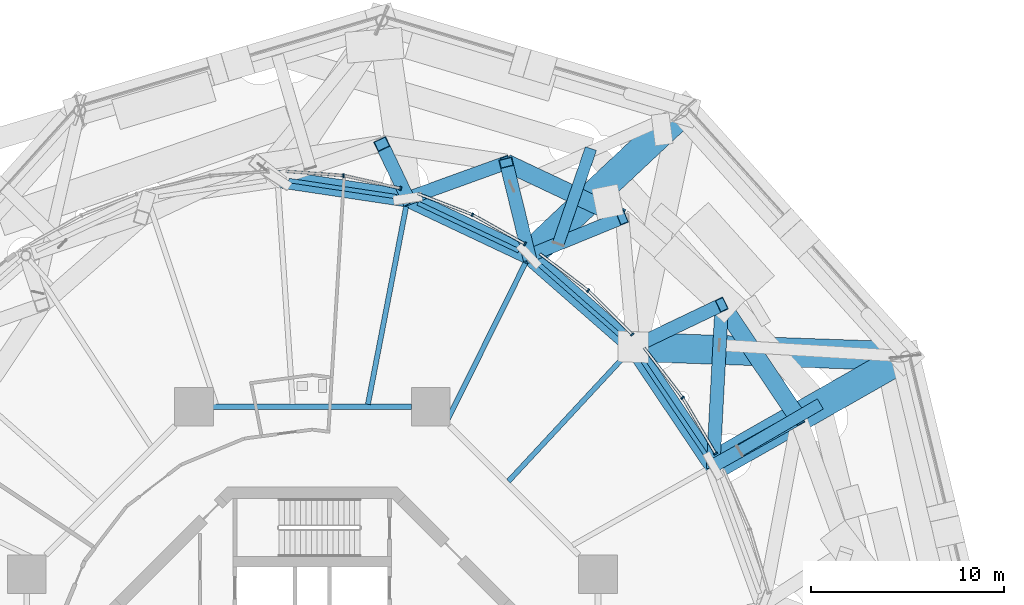
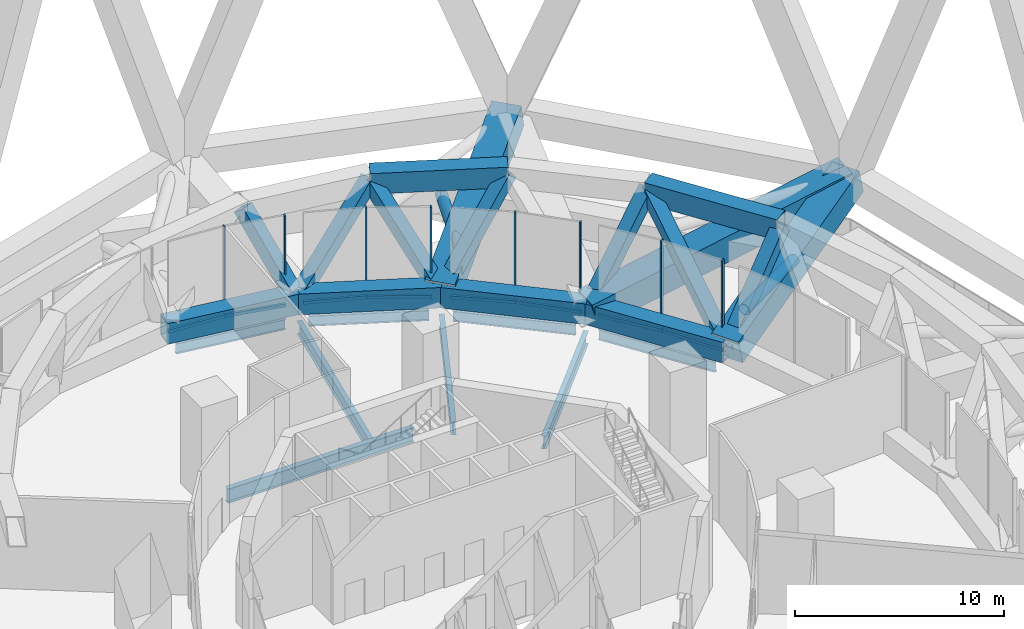
# One storey, part 33 of 49: 21 beams, 21 members, 8 elements without a shape of their own.
"""IFC4 building model written with IfcOpenShell, lengths in metres."""

from ifc_helpers import new_model, si_unit, direction, frame, origin, origin_2d, place, context, subcontext, project, spatial, rectangle, hollow_rectangle, hollow_circle, i_section, extrude, material, layer, layer_set, material_profile, profile_set, type_object, element, aggregate, save


model = new_model("IFC4")

# Units and contexts
model_context = context("Model", 3, precision=1e-05, world=origin(), true_north=direction((0.0, 1.0)))
body_context = subcontext(model_context, "Body", "Model", "MODEL_VIEW")
ifc_project = project(units=[si_unit("LENGTHUNIT", "METRE"), si_unit("AREAUNIT", "SQUARE_METRE"), si_unit("VOLUMEUNIT", "CUBIC_METRE"), si_unit("PLANEANGLEUNIT", "RADIAN"), si_unit("MASSUNIT", "GRAM", prefix="KILO")], contexts=[model_context])

# Site, building, storey
site_placement = place(None, origin())
site = spatial("IfcSite", under=ifc_project, at=site_placement, CompositionType="ELEMENT")
building_placement = place(site_placement, origin())
building = spatial("IfcBuilding", under=site, at=building_placement, Name="Nagisa Residences", CompositionType="ELEMENT")
storey_placement = place(building_placement, frame((0.0, 0.0, 160.300048828125)))
storey = spatial("IfcBuildingStorey", under=building, at=storey_placement, Name="L40", CompositionType="ELEMENT", Elevation=160.300048828125)

# Beams
ifc_material_1 = material(Name="Steel ASTM A572 Gr 50", Category="steel")
ifc_material_profile_1 = material_profile(ifc_material_1, hollow_rectangle(XDim=0.89990234375, YDim=1.199951171875, WallThickness=0.044921875, at=origin_2d()), Name="BX 900x1200x45")
ifc_profile_set_1 = profile_set([ifc_material_profile_1], Name="Steel ASTM A572 Gr 50")
beam_type_1 = type_object("IfcBeamType", Name="Belt chord 3 BX 900x1200x45", PredefinedType="BEAM", material=ifc_profile_set_1)
beam_1_placement = place(storey_placement, frame((20.7470703125, 11.729736328125, 0.599853515625), z_axis=(-0.558184113249, 0.829717117888, 0.0), x_axis=(-0.829717117888, -0.558184113249, 0.0)))
element("IfcBeam", 1, at=beam_1_placement, inside=storey, type_object=beam_type_1, Name="beam:L40:bt3b03", PredefinedType="BEAM", context=body_context, shape_type="SweptSolid", body=[
    extrude(hollow_rectangle(XDim=0.89990234375, YDim=1.199951171875, WallThickness=0.044921875, at=origin_2d()), origin(), (0.0, 0.0, 1.0), 7.412353515625),
])
beam_2_placement = place(storey_placement, frame((25.142333984375, 14.1875, 4.739990234375), z_axis=(-0.558147783438, 0.829741557259, 0.0), x_axis=(-0.829741557259, -0.558147783438, 0.0)))
element("IfcBeam", 2, at=beam_2_placement, inside=storey, type_object=beam_type_1, Name="beam:L40:bt3t03", PredefinedType="BEAM", context=body_context, shape_type="SweptSolid", body=[
    extrude(hollow_rectangle(XDim=0.89990234375, YDim=1.199951171875, WallThickness=0.044921875, at=origin_2d()), origin(), (0.0, 0.0, 1.0), 7.08251953125),
])
beam_3_placement = place(storey_placement, frame((16.609619140625, 17.8798828125, 0.599853515625), z_axis=(-0.752513371651, 0.658576970055, 0.0), x_axis=(-0.658576970055, -0.752513371651, 0.0)))
element("IfcBeam", 3, at=beam_3_placement, inside=storey, type_object=beam_type_1, Name="beam:L40:bt3b04", PredefinedType="BEAM", context=body_context, shape_type="SweptSolid", body=[
    extrude(hollow_rectangle(XDim=0.89990234375, YDim=1.199951171875, WallThickness=0.044921875, at=origin_2d()), origin(), (0.0, 0.0, 1.0), 7.16552734375),
])
beam_4_placement = place(storey_placement, frame((11.217529296875, 22.598876953125, 0.599853515625), z_axis=(-0.904174731044, 0.427162797703, 0.0), x_axis=(-0.427162797703, -0.904174731044, 0.0)))
element("IfcBeam", 4, at=beam_4_placement, inside=storey, type_object=beam_type_1, Name="beam:L40:bt3b05", PredefinedType="BEAM", context=body_context, shape_type="SweptSolid", body=[
    extrude(hollow_rectangle(XDim=0.89990234375, YDim=1.199951171875, WallThickness=0.044921875, at=origin_2d()), origin(), (0.0, 0.0, 1.0), 6.94482421875),
])
beam_5_placement = place(storey_placement, frame((16.03759765625, 24.573486328125, 4.739990234375), z_axis=(-0.9041547037, 0.427205186973, 0.0), x_axis=(-0.427205186973, -0.9041547037, 0.0)))
element("IfcBeam", 5, at=beam_5_placement, inside=storey, type_object=beam_type_1, Name="beam:L40:bt3t05", PredefinedType="BEAM", context=body_context, shape_type="SweptSolid", body=[
    extrude(hollow_rectangle(XDim=0.89990234375, YDim=1.199951171875, WallThickness=0.044921875, at=origin_2d()), origin(), (0.0, 0.0, 1.0), 6.635498046875),
])
beam_6_placement = place(storey_placement, frame((4.938232421875, 25.5654296875, 0.599853515625), z_axis=(-0.988910056119, 0.14851565879, 0.0), x_axis=(-0.14851565879, -0.988910056119, 0.0)))
element("IfcBeam", 6, at=beam_6_placement, inside=storey, type_object=beam_type_1, Name="beam:L40:bt3b06", PredefinedType="BEAM", context=body_context, shape_type="SweptSolid", body=[
    extrude(hollow_rectangle(XDim=0.89990234375, YDim=1.199951171875, WallThickness=0.044921875, at=origin_2d()), origin(), (0.0, 0.0, 1.0), 6.81396484375),
])
ifc_material_2 = material(Name="Steel ASTM A572 Gr 50", Category="steel")
ifc_material_profile_2 = material_profile(ifc_material_2, hollow_rectangle(XDim=0.699951171875, YDim=0.699951171875, WallThickness=0.0400390625, at=origin_2d()), Name="BX 700x700x40")
ifc_profile_set_2 = profile_set([ifc_material_profile_2], Name="Steel ASTM A572 Gr 50")
beam_type_2 = type_object("IfcBeamType", Name="Belt diagonal 3 BX 700x700x40", PredefinedType="BEAM", material=ifc_profile_set_2)
beam_7_placement = place(storey_placement, frame((20.7470703125, 11.729736328125, 0.599853515625), z_axis=(0.674205232109, 0.377005169785, 0.635070395273), x_axis=(-0.488061476755, 0.872809254596, 0.0)))
element("IfcBeam", 7, at=beam_7_placement, inside=storey, type_object=beam_type_2, Name="beam:L40:bt3da03", PredefinedType="BEAM", context=body_context, shape_type="SweptSolid", body=[
    extrude(hollow_rectangle(XDim=0.699951171875, YDim=0.699951171875, WallThickness=0.0400390625, at=origin_2d()), origin(), (0.0, 0.0, 1.0), 6.519287109375),
])
beam_8_placement = place(storey_placement, frame((20.7470703125, 11.729736328125, 0.599853515625), z_axis=(0.047456915509, 0.894579890474, 0.444381211045), x_axis=(-0.998595844255, 0.052974898176, 0.0)))
element("IfcBeam", 8, at=beam_8_placement, inside=storey, type_object=beam_type_2, Name="beam:L40:bt3db03", PredefinedType="BEAM", context=body_context, shape_type="SweptSolid", body=[
    extrude(hollow_rectangle(XDim=0.699951171875, YDim=0.699951171875, WallThickness=0.0400390625, at=origin_2d()), origin(), (0.0, 0.0, 1.0), 9.316650390625),
])
beam_9_placement = place(storey_placement, frame((16.609619140625, 17.8798828125, 0.599853515625), z_axis=(0.699319467386, 0.333554284823, 0.632213430426), x_axis=(-0.43050690081, 0.902587285726, 0.0)))
element("IfcBeam", 9, at=beam_9_placement, inside=storey, type_object=beam_type_2, Name="beam:L40:bt3da04", PredefinedType="BEAM", context=body_context, shape_type="SweptSolid", body=[
    extrude(hollow_rectangle(XDim=0.699951171875, YDim=0.699951171875, WallThickness=0.0400390625, at=origin_2d()), origin(), (0.0, 0.0, 1.0), 6.548583984375),
])
beam_10_placement = place(storey_placement, frame((11.217529296875, 22.598876953125, 0.599853515625), z_axis=(0.724409844613, 0.296764768436, 0.622222668538), x_axis=(-0.379087234899, 0.925360939492, 0.0)))
element("IfcBeam", 10, at=beam_10_placement, inside=storey, type_object=beam_type_2, Name="beam:L40:bt3da05", PredefinedType="BEAM", context=body_context, shape_type="SweptSolid", body=[
    extrude(hollow_rectangle(XDim=0.699951171875, YDim=0.699951171875, WallThickness=0.0400390625, at=origin_2d()), origin(), (0.0, 0.0, 1.0), 6.65380859375),
])
beam_11_placement = place(storey_placement, frame((11.217529296875, 22.598876953125, 0.599853515625), z_axis=(-0.182730047498, 0.7451043688, 0.641427477847), x_axis=(-0.97122031322, -0.238182919598, 0.0)))
element("IfcBeam", 11, at=beam_11_placement, inside=storey, type_object=beam_type_2, Name="beam:L40:bt3db05", PredefinedType="BEAM", context=body_context, shape_type="SweptSolid", body=[
    extrude(hollow_rectangle(XDim=0.699951171875, YDim=0.699951171875, WallThickness=0.0400390625, at=origin_2d()), origin(), (0.0, 0.0, 1.0), 6.45458984375),
])
beam_12_placement = place(storey_placement, frame((4.938232421875, 25.5654296875, 0.599853515625), z_axis=(0.747516774157, 0.270106592529, 0.606845203512), x_axis=(-0.339833645727, 0.940485562479, 0.0)))
element("IfcBeam", 12, at=beam_12_placement, inside=storey, type_object=beam_type_2, Name="beam:L40:bt3da06", PredefinedType="BEAM", context=body_context, shape_type="SweptSolid", body=[
    extrude(hollow_rectangle(XDim=0.699951171875, YDim=0.699951171875, WallThickness=0.0400390625, at=origin_2d()), origin(), (0.0, 0.0, 1.0), 6.822509765625),
])
beam_13_placement = place(storey_placement, frame((4.938232421875, 25.5654296875, 0.599853515625), z_axis=(-0.258362697562, 0.54246267534, 0.799364098751), x_axis=(-0.902830063692, -0.429997530335, 0.0)))
element("IfcBeam", 13, at=beam_13_placement, inside=storey, type_object=beam_type_2, Name="beam:L40:bt3db06", PredefinedType="BEAM", context=body_context, shape_type="SweptSolid", body=[
    extrude(hollow_rectangle(XDim=0.699951171875, YDim=0.699951171875, WallThickness=0.0400390625, at=origin_2d()), origin(), (0.0, 0.0, 1.0), 5.17919921875),
])

# Curtain wall, member
ifc_material_3 = material(Name="Aluminium curtain wall system", Category="aluminium")
ifc_layer = layer(ifc_material_3, 0.159912109375)
ifc_layer_set = layer_set([ifc_layer], Name="CW2 CURTAIN WALL")
curtain_wall_type = type_object("IfcCurtainWallType", Name="CW2 CURTAIN WALL", PredefinedType="NOTDEFINED", material=ifc_layer_set)
curtain_wall_1_placement = place(storey_placement, origin())
curtain_wall_1 = element("IfcCurtainWall", 14, at=curtain_wall_1_placement, inside=storey, type_object=curtain_wall_type, Name="cw:CW2:L40:04", PredefinedType="NOTDEFINED")
ifc_material_4 = material(Name="Aluminium", Category="aluminium")
ifc_material_profile_3 = material_profile(ifc_material_4, rectangle(XDim=0.199951171875, YDim=0.080078125, at=origin_2d()), Name="CW2 MULLION 200x80")
ifc_profile_set_3 = profile_set([ifc_material_profile_3], Name="Aluminium")
member_type_1 = type_object("IfcMemberType", Name="CW2 MULLION 200x80", PredefinedType="MULLION", material=ifc_profile_set_3)
member_1_placement = place(storey_placement, frame((20.86279296875, 12.36181640625, 0.0), z_axis=(0.0, 0.0, 1.0), x_axis=(-0.862328898214, -0.506348567002, 0.0)))
member_1 = element("IfcMember", 15, at=member_1_placement, type_object=member_type_1, Name="CW2 mullion", PredefinedType="MULLION", context=body_context, shape_type="SweptSolid", body=[
    extrude(rectangle(XDim=0.199951171875, YDim=0.080078125, at=origin_2d()), origin(), (0.0, 0.0, 1.0), 5.33984375),
])

curtain_wall_2_placement = place(storey_placement, origin())
curtain_wall_2 = element("IfcCurtainWall", 16, at=curtain_wall_2_placement, inside=storey, type_object=curtain_wall_type, Name="cw:CW2:L40:05", PredefinedType="NOTDEFINED")
member_2_placement = place(storey_placement, frame((19.163818359375, 15.246826171875, 0.0), z_axis=(0.0, 0.0, 1.0), x_axis=(-0.792070340816, -0.610429828235, 0.0)))
member_2 = element("IfcMember", 17, at=member_2_placement, type_object=member_type_1, Name="CW2 mullion", PredefinedType="MULLION", context=body_context, shape_type="SweptSolid", body=[
    extrude(rectangle(XDim=0.199951171875, YDim=0.080078125, at=origin_2d()), origin(), (0.0, 0.0, 1.0), 5.33984375),
])

curtain_wall_3_placement = place(storey_placement, origin())
curtain_wall_3 = element("IfcCurtainWall", 18, at=curtain_wall_3_placement, inside=storey, type_object=curtain_wall_type, Name="cw:CW2:L40:06", PredefinedType="NOTDEFINED")
member_3_placement = place(storey_placement, frame((16.559814453125, 18.52294921875, 0.0), z_axis=(0.0, 0.0, 1.0), x_axis=(-0.706376885714, -0.707835924016, 0.0)))
member_3 = element("IfcMember", 19, at=member_3_placement, type_object=member_type_1, Name="CW2 mullion", PredefinedType="MULLION", context=body_context, shape_type="SweptSolid", body=[
    extrude(rectangle(XDim=0.199951171875, YDim=0.080078125, at=origin_2d()), origin(), (0.0, 0.0, 1.0), 5.33984375),
])

curtain_wall_4_placement = place(storey_placement, origin())
curtain_wall_4 = element("IfcCurtainWall", 20, at=curtain_wall_4_placement, inside=storey, type_object=curtain_wall_type, Name="cw:CW2:L40:07", PredefinedType="NOTDEFINED")
member_4_placement = place(storey_placement, frame((14.273193359375, 20.798095703125, 0.0), z_axis=(0.0, 0.0, 1.0), x_axis=(-0.605255421737, -0.79603132756, 0.0)))
member_4 = element("IfcMember", 21, at=member_4_placement, type_object=member_type_1, Name="CW2 mullion", PredefinedType="MULLION", context=body_context, shape_type="SweptSolid", body=[
    extrude(rectangle(XDim=0.199951171875, YDim=0.080078125, at=origin_2d()), origin(), (0.0, 0.0, 1.0), 5.33984375),
])

curtain_wall_5_placement = place(storey_placement, origin())
curtain_wall_5 = element("IfcCurtainWall", 22, at=curtain_wall_5_placement, inside=storey, type_object=curtain_wall_type, Name="cw:CW2:L40:08", PredefinedType="NOTDEFINED")
member_5_placement = place(storey_placement, frame((11.0009765625, 23.201904296875, 0.0), z_axis=(0.0, 0.0, 1.0), x_axis=(-0.489376918501, -0.872072377523, 0.0)))
member_5 = element("IfcMember", 23, at=member_5_placement, type_object=member_type_1, Name="CW2 mullion", PredefinedType="MULLION", context=body_context, shape_type="SweptSolid", body=[
    extrude(rectangle(XDim=0.199951171875, YDim=0.080078125, at=origin_2d()), origin(), (0.0, 0.0, 1.0), 5.33984375),
])

curtain_wall_6_placement = place(storey_placement, origin())
curtain_wall_6 = element("IfcCurtainWall", 24, at=curtain_wall_6_placement, inside=storey, type_object=curtain_wall_type, Name="cw:CW2:L40:09", PredefinedType="NOTDEFINED")
member_6_placement = place(storey_placement, frame((8.288330078125, 24.71875, 0.0), z_axis=(0.0, 0.0, 1.0), x_axis=(-0.360327770268, -0.932825759707, 0.0)))
member_6 = element("IfcMember", 25, at=member_6_placement, type_object=member_type_1, Name="CW2 mullion", PredefinedType="MULLION", context=body_context, shape_type="SweptSolid", body=[
    extrude(rectangle(XDim=0.199951171875, YDim=0.080078125, at=origin_2d()), origin(), (0.0, 0.0, 1.0), 5.33984375),
])

curtain_wall_7_placement = place(storey_placement, origin())
curtain_wall_7 = element("IfcCurtainWall", 26, at=curtain_wall_7_placement, inside=storey, type_object=curtain_wall_type, Name="cw:CW2:L40:10", PredefinedType="NOTDEFINED")
member_7_placement = place(storey_placement, frame((4.572265625, 26.07861328125, 0.0), z_axis=(0.0, 0.0, 1.0), x_axis=(-0.2207639201, -0.975327274089, 0.0)))
member_7 = element("IfcMember", 27, at=member_7_placement, type_object=member_type_1, Name="CW2 mullion", PredefinedType="MULLION", context=body_context, shape_type="SweptSolid", body=[
    extrude(rectangle(XDim=0.199951171875, YDim=0.080078125, at=origin_2d()), origin(), (0.0, 0.0, 1.0), 5.33984375),
])

curtain_wall_8_placement = place(storey_placement, origin())
curtain_wall_8 = element("IfcCurtainWall", 28, at=curtain_wall_8_placement, inside=storey, type_object=curtain_wall_type, Name="cw:CW2:L40:11", PredefinedType="NOTDEFINED")
member_8_placement = place(storey_placement, frame((1.61767578125, 26.7421875, 0.0), z_axis=(0.0, 0.0, 1.0), x_axis=(-0.074377355493, -0.997230168512, 0.0)))
member_8 = element("IfcMember", 29, at=member_8_placement, type_object=member_type_1, Name="CW2 mullion", PredefinedType="MULLION", context=body_context, shape_type="SweptSolid", body=[
    extrude(rectangle(XDim=0.199951171875, YDim=0.080078125, at=origin_2d()), origin(), (0.0, 0.0, 1.0), 5.33984375),
])

# Member
ifc_material_5 = material(Name="Aluminium", Category="aluminium")
ifc_material_profile_4 = material_profile(ifc_material_5, rectangle(XDim=0.139892578125, YDim=0.179931640625, at=origin_2d()), Name="CW2 TRANSOM 140x180")
ifc_profile_set_4 = profile_set([ifc_material_profile_4], Name="Aluminium")
member_type_2 = type_object("IfcMemberType", Name="CW2 TRANSOM 140x180", PredefinedType="USERDEFINED", material=ifc_profile_set_4)
member_9_placement = place(storey_placement, frame((20.883056640625, 12.327392578125, 0.08984375), z_axis=(-0.506336911457, 0.862335742096, 0.0), x_axis=(-0.862335742096, -0.506336911457, 0.0)))
member_9 = element("IfcMember", 30, at=member_9_placement, type_object=member_type_2, Name="CW2 transom", ObjectType="TRANSOM", PredefinedType="USERDEFINED", context=body_context, shape_type="SweptSolid", body=[
    extrude(rectangle(XDim=0.139892578125, YDim=0.179931640625, at=origin_2d()), origin(), (0.0, 0.0, 1.0), 3.3583984375),
])

aggregate(curtain_wall_1, [member_1, member_9])

member_10_placement = place(storey_placement, frame((19.188232421875, 15.215087890625, 0.08984375), z_axis=(-0.61045080008, 0.79205417787, 0.0), x_axis=(-0.79205417787, -0.61045080008, 0.0)))
member_10 = element("IfcMember", 31, at=member_10_placement, type_object=member_type_2, Name="CW2 transom", ObjectType="TRANSOM", PredefinedType="USERDEFINED", context=body_context, shape_type="SweptSolid", body=[
    extrude(rectangle(XDim=0.139892578125, YDim=0.179931640625, at=origin_2d()), origin(), (0.0, 0.0, 1.0), 3.299072265625),
])

aggregate(curtain_wall_2, [member_2, member_10])

member_11_placement = place(storey_placement, frame((16.588134765625, 18.49462890625, 0.08984375), z_axis=(-0.707860625726, 0.706352132118, 0.0), x_axis=(-0.706352132118, -0.707860625726, 0.0)))
member_11 = element("IfcMember", 32, at=member_11_placement, type_object=member_type_2, Name="CW2 transom", ObjectType="TRANSOM", PredefinedType="USERDEFINED", context=body_context, shape_type="SweptSolid", body=[
    extrude(rectangle(XDim=0.139892578125, YDim=0.179931640625, at=origin_2d()), origin(), (0.0, 0.0, 1.0), 3.23681640625),
])

aggregate(curtain_wall_3, [member_3, member_11])

member_12_placement = place(storey_placement, frame((14.30517578125, 20.77392578125, 0.08984375), z_axis=(-0.796052547882, 0.605227511776, 0.0), x_axis=(-0.605227511776, -0.796052547882, 0.0)))
member_12 = element("IfcMember", 33, at=member_12_placement, type_object=member_type_2, Name="CW2 transom", ObjectType="TRANSOM", PredefinedType="USERDEFINED", context=body_context, shape_type="SweptSolid", body=[
    extrude(rectangle(XDim=0.139892578125, YDim=0.179931640625, at=origin_2d()), origin(), (0.0, 0.0, 1.0), 3.175537109375),
])

aggregate(curtain_wall_4, [member_4, member_12])

member_13_placement = place(storey_placement, frame((11.035888671875, 23.182373046875, 0.08984375), z_axis=(-0.872074615218, 0.489372930895, 0.0), x_axis=(-0.489372930895, -0.872074615218, 0.0)))
member_13 = element("IfcMember", 34, at=member_13_placement, type_object=member_type_2, Name="CW2 transom", ObjectType="TRANSOM", PredefinedType="USERDEFINED", context=body_context, shape_type="SweptSolid", body=[
    extrude(rectangle(XDim=0.139892578125, YDim=0.179931640625, at=origin_2d()), origin(), (0.0, 0.0, 1.0), 3.11962890625),
])

aggregate(curtain_wall_5, [member_5, member_13])

member_14_placement = place(storey_placement, frame((8.32568359375, 24.704345703125, 0.08984375), z_axis=(-0.932826657337, 0.360325446452, 0.0), x_axis=(-0.360325446452, -0.932826657337, 0.0)))
member_14 = element("IfcMember", 35, at=member_14_placement, type_object=member_type_2, Name="CW2 transom", ObjectType="TRANSOM", PredefinedType="USERDEFINED", context=body_context, shape_type="SweptSolid", body=[
    extrude(rectangle(XDim=0.139892578125, YDim=0.179931640625, at=origin_2d()), origin(), (0.0, 0.0, 1.0), 3.073486328125),
])

aggregate(curtain_wall_6, [member_6, member_14])

member_15_placement = place(storey_placement, frame((4.611083984375, 26.06982421875, 0.08984375), z_axis=(-0.975331243062, 0.220746384586, 0.0), x_axis=(-0.220746384586, -0.975331243062, 0.0)))
member_15 = element("IfcMember", 36, at=member_15_placement, type_object=member_type_2, Name="CW2 transom", ObjectType="TRANSOM", PredefinedType="USERDEFINED", context=body_context, shape_type="SweptSolid", body=[
    extrude(rectangle(XDim=0.139892578125, YDim=0.179931640625, at=origin_2d()), origin(), (0.0, 0.0, 1.0), 3.040283203125),
])

aggregate(curtain_wall_7, [member_7, member_15])

member_16_placement = place(storey_placement, frame((1.657470703125, 26.7392578125, 0.08984375), z_axis=(-0.997229943857, 0.074380367533, 0.0), x_axis=(-0.074380367533, -0.997229943857, 0.0)))
member_16 = element("IfcMember", 37, at=member_16_placement, type_object=member_type_2, Name="CW2 transom", ObjectType="TRANSOM", PredefinedType="USERDEFINED", context=body_context, shape_type="SweptSolid", body=[
    extrude(rectangle(XDim=0.139892578125, YDim=0.179931640625, at=origin_2d()), origin(), (0.0, 0.0, 1.0), 3.02294921875),
])

aggregate(curtain_wall_8, [member_8, member_16])

# Members
ifc_material_6 = material(Name="Concrete C80", Category="concrete")
ifc_material_profile_5 = material_profile(ifc_material_6, rectangle(XDim=1.5, YDim=1.5, at=origin_2d()), Name="C80 1500x1500")
ifc_profile_set_5 = profile_set([ifc_material_profile_5], Name="Concrete C80")
member_type_3 = type_object("IfcMemberType", Name="Cage bracket 4 C80 1500x1500", PredefinedType="BRACE", material=ifc_profile_set_5)
member_17_placement = place(storey_placement, frame((30.68505859375, 17.387451171875, 3.699951171875), z_axis=(-0.838763928995, -0.477509833699, -0.261647530349), x_axis=(0.494745021689, -0.869038183001, 0.0)))
element("IfcMember", 38, at=member_17_placement, inside=storey, type_object=member_type_3, Name="mem:L40:cg3ob03", PredefinedType="BRACE", context=body_context, shape_type="SweptSolid", body=[
    extrude(rectangle(XDim=1.5, YDim=1.5, at=origin_2d()), origin(), (0.0, 0.0, 1.0), 11.848388671875),
])
member_18_placement = place(storey_placement, frame((30.68505859375, 17.387451171875, 3.699951171875), z_axis=(-0.976023959192, 0.034146364035, -0.214968036942), x_axis=(-0.034963779269, -0.999388580153, 0.0)))
element("IfcMember", 39, at=member_18_placement, inside=storey, type_object=member_type_3, Name="mem:L40:cg3ob04", PredefinedType="BRACE", context=body_context, shape_type="SweptSolid", body=[
    extrude(rectangle(XDim=1.5, YDim=1.5, at=origin_2d()), origin(), (0.0, 0.0, 1.0), 14.421142578125),
])
member_19_placement = place(storey_placement, frame((19.237548828125, 30.115966796875, 3.699951171875), z_axis=(-0.702220379937, -0.658184642261, -0.271439707289), x_axis=(0.68385985562, -0.729613389318, 0.0)))
element("IfcMember", 40, at=member_19_placement, inside=storey, type_object=member_type_3, Name="mem:L40:cg3ob05", PredefinedType="BRACE", context=body_context, shape_type="SweptSolid", body=[
    extrude(rectangle(XDim=1.5, YDim=1.5, at=origin_2d()), origin(), (0.0, 0.0, 1.0), 11.4208984375),
])
ifc_material_7 = material(Name="Steel ASTM A572 Gr 65", Category="steel")
ifc_material_profile_6 = material_profile(ifc_material_7, hollow_circle(Radius=0.304931640625, WallThickness=0.02490234375, at=origin_2d()), Name="CHS 610x25")
ifc_profile_set_6 = profile_set([ifc_material_profile_6], Name="Steel ASTM A572 Gr 65")
member_type_4 = type_object("IfcMemberType", Name="Cage strut CHS 610x25", PredefinedType="STRUT", material=ifc_profile_set_6)
member_20_placement = place(storey_placement, frame((26.28955078125, 14.9296875, 1.89990234375), z_axis=(-0.8637623626, -0.503899375824, 0.0), x_axis=(0.503899375824, -0.8637623626, 0.0)))
element("IfcMember", 41, at=member_20_placement, inside=storey, type_object=member_type_4, Name="mem:L40:bt3st3a02", PredefinedType="STRUT", context=body_context, shape_type="SweptSolid", body=[
    extrude(hollow_circle(Radius=0.304931640625, WallThickness=0.02490234375, at=origin_2d()), origin(), (0.0, 0.0, 1.0), 4.81884765625),
])
member_21_placement = place(storey_placement, frame((14.41748046875, 28.1416015625, 1.89990234375), z_axis=(-0.324113200002, -0.9460183051, 0.0), x_axis=(0.9460183051, -0.324113200002, 0.0)))
element("IfcMember", 42, at=member_21_placement, inside=storey, type_object=member_type_4, Name="mem:L40:bt3st3a03", PredefinedType="STRUT", context=body_context, shape_type="SweptSolid", body=[
    extrude(hollow_circle(Radius=0.304931640625, WallThickness=0.02490234375, at=origin_2d()), origin(), (0.0, 0.0, 1.0), 5.20361328125),
])

# Beams
ifc_material_8 = material(Name="Steel ASTM A572 Gr 50", Category="steel")
ifc_material_profile_7 = material_profile(ifc_material_8, i_section(OverallWidth=0.2919921875, OverallDepth=0.8349609375, WebThickness=0.013916015625, FlangeThickness=0.018798828125, at=origin_2d()), Name="W840x176")
ifc_profile_set_7 = profile_set([ifc_material_profile_7], Name="Steel ASTM A572 Gr 50")
beam_type_3 = type_object("IfcBeamType", Name="Inner ring beam W840x176", PredefinedType="BEAM", material=ifc_profile_set_7)
beam_14_placement = place(storey_placement, frame((5.142822265625, 14.781982421875, -0.767578125), z_axis=(-1.0, 0.0, 0.0), x_axis=(0.0, -1.0, 0.0)))
element("IfcBeam", 43, at=beam_14_placement, inside=storey, type_object=beam_type_3, Name="beam:L40:ib2", PredefinedType="BEAM", context=body_context, shape_type="SweptSolid", body=[
    extrude(i_section(OverallWidth=0.2919921875, OverallDepth=0.8349609375, WebThickness=0.013916015625, FlangeThickness=0.018798828125, at=origin_2d()), origin(), (0.0, 0.0, 1.0), 10.28564453125),
])
ifc_material_9 = material(Name="Steel ASTM A572 Gr 50", Category="steel")
ifc_material_profile_8 = material_profile(ifc_material_9, i_section(OverallWidth=0.22802734375, OverallDepth=0.60302734375, WebThickness=0.010498046875, FlangeThickness=0.014892578125, at=origin_2d()), Name="W610x101")
ifc_profile_set_8 = profile_set([ifc_material_profile_8], Name="Steel ASTM A572 Gr 50")
beam_type_4 = type_object("IfcBeamType", Name="Perimeter ring beam W610x101", PredefinedType="BEAM", material=ifc_profile_set_8)
beam_15_placement = place(storey_placement, frame((20.420654296875, 12.21484375, -0.651611328125), z_axis=(-0.558187951157, 0.82971453596, 0.0), x_axis=(-0.82971453596, -0.558187951157, 0.0)))
element("IfcBeam", 44, at=beam_15_placement, inside=storey, type_object=beam_type_4, Name="beam:L40:pb03", PredefinedType="BEAM", context=body_context, shape_type="SweptSolid", body=[
    extrude(i_section(OverallWidth=0.22802734375, OverallDepth=0.60302734375, WebThickness=0.010498046875, FlangeThickness=0.014892578125, at=origin_2d()), origin(), (0.0, 0.0, 1.0), 6.24267578125),
])
beam_16_placement = place(storey_placement, frame((16.169189453125, 18.26513671875, -0.651611328125), z_axis=(-0.752503526528, 0.658588219272, 0.0), x_axis=(-0.658588219272, -0.752503526528, 0.0)))
element("IfcBeam", 45, at=beam_16_placement, inside=storey, type_object=beam_type_4, Name="beam:L40:pb04", PredefinedType="BEAM", context=body_context, shape_type="SweptSolid", body=[
    extrude(i_section(OverallWidth=0.22802734375, OverallDepth=0.60302734375, WebThickness=0.010498046875, FlangeThickness=0.014892578125, at=origin_2d()), origin(), (0.0, 0.0, 1.0), 5.99462890625),
])
beam_17_placement = place(storey_placement, frame((10.687744140625, 22.84912109375, -0.651611328125), z_axis=(-0.904169699539, 0.427173447719, 0.0), x_axis=(-0.427173447719, -0.904169699539, 0.0)))
element("IfcBeam", 46, at=beam_17_placement, inside=storey, type_object=beam_type_4, Name="beam:L40:pb05", PredefinedType="BEAM", context=body_context, shape_type="SweptSolid", body=[
    extrude(i_section(OverallWidth=0.22802734375, OverallDepth=0.60302734375, WebThickness=0.010498046875, FlangeThickness=0.014892578125, at=origin_2d()), origin(), (0.0, 0.0, 1.0), 5.7724609375),
])
beam_18_placement = place(storey_placement, frame((4.3583984375, 25.652587890625, -0.651611328125), z_axis=(-0.9889122118, 0.148501304214, 0.0), x_axis=(-0.148501304214, -0.9889122118, 0.0)))
element("IfcBeam", 47, at=beam_18_placement, inside=storey, type_object=beam_type_4, Name="beam:L40:pb06", PredefinedType="BEAM", context=body_context, shape_type="SweptSolid", body=[
    extrude(i_section(OverallWidth=0.22802734375, OverallDepth=0.60302734375, WebThickness=0.010498046875, FlangeThickness=0.014892578125, at=origin_2d()), origin(), (0.0, 0.0, 1.0), 5.640625),
])
ifc_material_10 = material(Name="Steel ASTM A572 Gr 50", Category="steel")
ifc_material_profile_9 = material_profile(ifc_material_10, i_section(OverallWidth=0.264892578125, OverallDepth=0.7529296875, WebThickness=0.01318359375, FlangeThickness=0.01708984375, at=origin_2d()), Name="W760x147")
ifc_profile_set_9 = profile_set([ifc_material_profile_9], Name="Steel ASTM A572 Gr 50")
beam_type_5 = type_object("IfcBeamType", Name="Radial beam W760x147", PredefinedType="BEAM", material=ifc_profile_set_9)
beam_19_placement = place(storey_placement, frame((16.315185546875, 17.56298828125, -0.7265625), z_axis=(-0.680605199194, -0.732650368751, 0.0), x_axis=(0.732650368751, -0.680605199194, 0.0)))
element("IfcBeam", 48, at=beam_19_placement, inside=storey, type_object=beam_type_5, Name="beam:L40:rb04", PredefinedType="BEAM", context=body_context, shape_type="SweptSolid", body=[
    extrude(i_section(OverallWidth=0.264892578125, OverallDepth=0.7529296875, WebThickness=0.01318359375, FlangeThickness=0.01708984375, at=origin_2d()), origin(), (0.0, 0.0, 1.0), 9.053466796875),
])
beam_20_placement = place(storey_placement, frame((11.02490234375, 22.2109375, -0.7265625), z_axis=(-0.444615651848, -0.895721453429, 0.0), x_axis=(0.895721453429, -0.444615651848, 0.0)))
element("IfcBeam", 49, at=beam_20_placement, inside=storey, type_object=beam_type_5, Name="beam:L40:rb05", PredefinedType="BEAM", context=body_context, shape_type="SweptSolid", body=[
    extrude(i_section(OverallWidth=0.264892578125, OverallDepth=0.7529296875, WebThickness=0.01318359375, FlangeThickness=0.01708984375, at=origin_2d()), origin(), (0.0, 0.0, 1.0), 9.065673828125),
])
beam_21_placement = place(storey_placement, frame((4.8564453125, 25.140869140625, -0.7265625), z_axis=(-0.189660604613, -0.981849711034, 0.0), x_axis=(0.981849711034, -0.189660604613, 0.0)))
element("IfcBeam", 50, at=beam_21_placement, inside=storey, type_object=beam_type_5, Name="beam:L40:rb06", PredefinedType="BEAM", context=body_context, shape_type="SweptSolid", body=[
    extrude(i_section(OverallWidth=0.264892578125, OverallDepth=0.7529296875, WebThickness=0.01318359375, FlangeThickness=0.01708984375, at=origin_2d()), origin(), (0.0, 0.0, 1.0), 10.421630859375),
])

save(model, "model.ifc")
